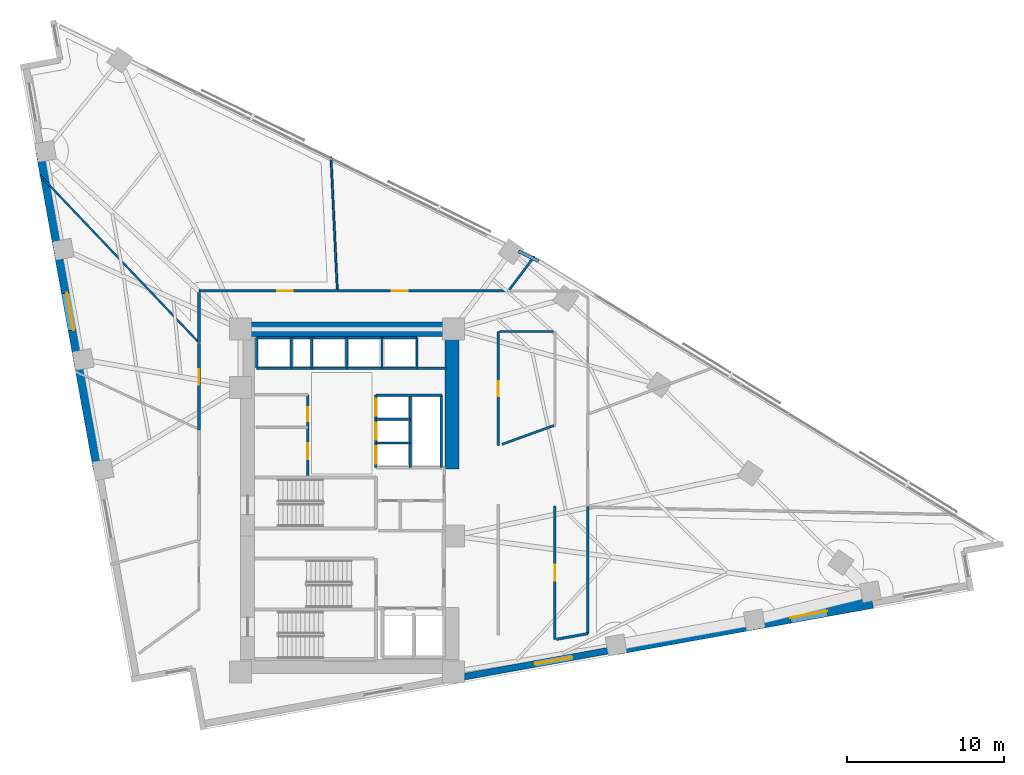
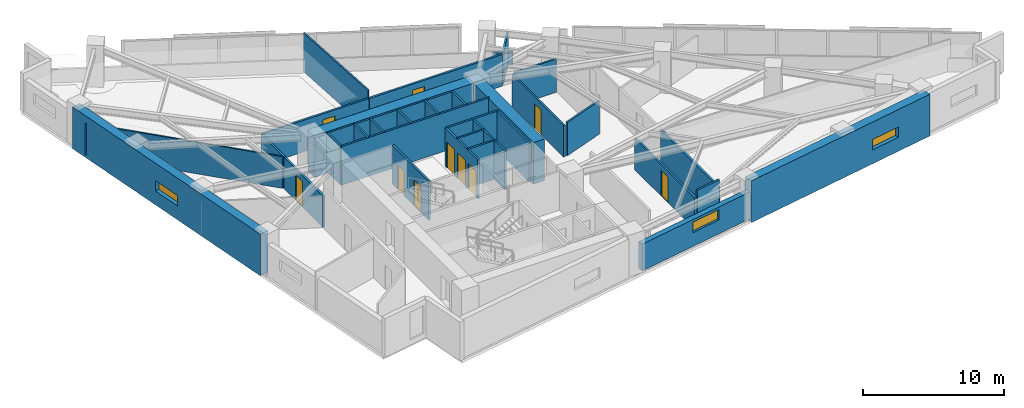
# One storey, part 14 of 18: 35 walls, 10 doors, 3 windows, 13 openings.
"""IFC4 building model written with IfcOpenShell, lengths in metres."""

from ifc_helpers import new_model, si_unit, direction, frame, frame_2d, origin, place, context, subcontext, project, spatial, rectangle, extrude, material, layer, layer_set, type_object, element, fill, save


model = new_model("IFC4")

# Units and contexts
model_context = context("Model", 3, precision=1e-05, world=origin(), true_north=direction((0.0, 1.0)))
body_context = subcontext(model_context, "Body", "Model", "MODEL_VIEW")
ifc_project = project(units=[si_unit("LENGTHUNIT", "METRE"), si_unit("AREAUNIT", "SQUARE_METRE"), si_unit("VOLUMEUNIT", "CUBIC_METRE"), si_unit("PLANEANGLEUNIT", "RADIAN"), si_unit("MASSUNIT", "GRAM", prefix="KILO")], contexts=[model_context])

# Site, building, storey
site_placement = place(None, origin())
site = spatial("IfcSite", under=ifc_project, at=site_placement, CompositionType="ELEMENT")
building_placement = place(site_placement, origin())
building = spatial("IfcBuilding", under=site, at=building_placement, Name="Narakoshi Arena Tower", CompositionType="ELEMENT")
storey_placement = place(building_placement, frame((0.0, 0.0, 106.5)))
storey = spatial("IfcBuildingStorey", under=building, at=storey_placement, Name="L28", CompositionType="ELEMENT", Elevation=106.5)

# Walls
ifc_material_1 = material(Name="Concrete C60/75", Category="concrete")
ifc_layer_1 = layer(ifc_material_1, 0.89990234375)
ifc_layer_set_1 = layer_set([ifc_layer_1], Name="Concrete C60/75")
wall_type_1 = type_object("IfcWallType", Name="WL-CORE-900", PredefinedType="SHEAR", material=ifc_layer_set_1)
wall_1_placement = place(storey_placement, frame((72.0, 56.5, -0.260009765625), z_axis=(0.0, 0.0, 1.0), x_axis=(1.0, 0.0, 0.0)))
element("IfcWall", 1, at=wall_1_placement, inside=storey, type_object=wall_type_1, Name="L28 Main Core Shear Wall CW-MN-N", PredefinedType="SHEAR", context=body_context, shape_type="SweptSolid", body=[
    extrude(rectangle(XDim=13.89990234375, YDim=0.89990234375, at=frame_2d((6.949951171875, 0.0))), origin(), (0.0, 0.0, 1.0), 3.60009765625),
])
wall_2_placement = place(storey_placement, frame((85.449951171875, 47.60009765625, -0.260009765625), z_axis=(0.0, 0.0, 1.0), x_axis=(0.0, 1.0, 0.0)))
element("IfcWall", 2, at=wall_2_placement, inside=storey, type_object=wall_type_1, Name="L28 Main Core Shear Wall CW-MN-E", PredefinedType="SHEAR", context=body_context, shape_type="SweptSolid", body=[
    extrude(rectangle(XDim=8.449951171875, YDim=0.89990234375, at=frame_2d((4.22509765625, 0.0))), origin(), (0.0, 0.0, 1.0), 3.60009765625),
])

# Wall, opening, door
ifc_material_2 = material(Name="Gypsum plasterboard fire-rated partition")
ifc_layer_2 = layer(ifc_material_2, 0.1650390625)
ifc_layer_set_2 = layer_set([ifc_layer_2], Name="Gypsum plasterboard fire-rated partition")
wall_type_2 = type_object("IfcWallType", Name="WL-CORR-165", PredefinedType="PARTITIONING", material=ifc_layer_set_2)
wall_3_placement = place(storey_placement, frame((91.996337890625, 45.264404296875, 0.0), z_axis=(0.0, 0.0, 1.0), x_axis=(0.0, -1.0, 0.0)))
wall_3 = element("IfcWall", 3, at=wall_3_placement, inside=storey, type_object=wall_type_2, Name="L28 Corridor Partition 02-1", PredefinedType="PARTITIONING", context=body_context, shape_type="SweptSolid", body=[
    extrude(rectangle(XDim=8.510009765625, YDim=0.1650390625, at=frame_2d((4.2548828125, 0.0))), origin(), (0.0, 0.0, 1.0), 2.72509765625),
])
opening_1_placement = place(wall_3_placement, frame((3.7548828125, 0.0, 0.0)))
opening_1 = element("IfcOpeningElement", 4, at=opening_1_placement, cuts=wall_3, Name="Opening D-06", PredefinedType="OPENING", context=body_context, shape_type="SweptSolid", body=[
    extrude(rectangle(XDim=1.0, YDim=2.199951171875, at=frame_2d((0.5, 1.10009765625))), frame((0.0, 0.092529296875, 0.0), z_axis=(0.0, -1.0, 0.0), x_axis=(1.0, 0.0, 0.0)), (0.0, 0.0, 1.0), 0.18505859375),
])
ifc_material_3 = material(Name="Stained oak solid-core timber", Category="wood")
door_type_1 = type_object("IfcDoorType", Name="DR-OFF-1000", OperationType="NOTDEFINED", PredefinedType="DOOR", material=ifc_material_3)
door_1_placement = place(opening_1_placement, frame((1.0, 0.0, 0.0), z_axis=(0.0, 0.0, 1.0), x_axis=(-1.0, 0.0, 0.0)))
door_1 = element("IfcDoor", 5, at=door_1_placement, inside=storey, type_object=door_type_1, Name="DR-L28-016", OperationType="SINGLE_SWING_LEFT", OverallHeight=2.199951171875, OverallWidth=1.0, PredefinedType="DOOR", context=body_context, shape_type="SweptSolid", body=[
    extrude(rectangle(XDim=1.0, YDim=2.199951171875, at=frame_2d((0.5, 1.10009765625))), frame((0.0, 0.02490234375, 0.0), z_axis=(0.0, -1.0, 0.0), x_axis=(1.0, 0.0, 0.0)), (0.0, 0.0, 1.0), 0.050048828125),
])
fill(opening_1, door_1)

# Walls
wall_4_placement = place(storey_placement, frame((94.09619140625, 37.134033203125, 0.0), z_axis=(0.0, 0.0, 1.0), x_axis=(0.0, 1.0, 0.0)))
element("IfcWall", 6, at=wall_4_placement, inside=storey, type_object=wall_type_2, Name="L28 Corridor Partition 02-3", PredefinedType="PARTITIONING", context=body_context, shape_type="SweptSolid", body=[
    extrude(rectangle(XDim=8.078857421875, YDim=0.1650390625, at=frame_2d((4.03955078125, 0.0))), origin(), (0.0, 0.0, 1.0), 2.72509765625),
])
wall_5_placement = place(storey_placement, frame((92.0908203125, 36.771484375, 0.0), z_axis=(0.0, 0.0, 1.0), x_axis=(0.984047685875, 0.17790489573, 0.0)))
element("IfcWall", 7, at=wall_5_placement, inside=storey, type_object=wall_type_2, Name="L28 Corridor Partition 02-4", PredefinedType="PARTITIONING", context=body_context, shape_type="SweptSolid", body=[
    extrude(rectangle(XDim=2.037841796875, YDim=0.1650390625, at=frame_2d((1.01904296875, 0.0))), origin(), (0.0, 0.0, 1.0), 3.340087890625),
])

# Wall, opening, door
wall_6_placement = place(storey_placement, frame((88.96337890625, 58.93701171875, 0.0), z_axis=(0.0, 0.0, 1.0), x_axis=(-1.0, 0.0, 0.0)))
wall_6 = element("IfcWall", 8, at=wall_6_placement, inside=storey, type_object=wall_type_2, Name="L28 Corridor Partition 06-1", PredefinedType="PARTITIONING", context=body_context, shape_type="SweptSolid", body=[
    extrude(rectangle(XDim=10.844970703125, YDim=0.1650390625, at=frame_2d((5.42236328125, 0.0))), origin(), (0.0, 0.0, 1.0), 2.72509765625),
])
opening_2_placement = place(wall_6_placement, frame((6.339111328125, 0.0, 0.0)))
opening_2 = element("IfcOpeningElement", 9, at=opening_2_placement, cuts=wall_6, Name="Opening D-06", PredefinedType="OPENING", context=body_context, shape_type="SweptSolid", body=[
    extrude(rectangle(XDim=1.0, YDim=2.199951171875, at=frame_2d((0.5, 1.10009765625))), frame((0.0, 0.092529296875, 0.0), z_axis=(0.0, -1.0, 0.0), x_axis=(1.0, 0.0, 0.0)), (0.0, 0.0, 1.0), 0.18505859375),
])
door_2_placement = place(opening_2_placement, frame((1.0, 0.0, 0.0), z_axis=(0.0, 0.0, 1.0), x_axis=(-1.0, 0.0, 0.0)))
door_2 = element("IfcDoor", 10, at=door_2_placement, inside=storey, type_object=door_type_1, Name="DR-L28-020", OperationType="SINGLE_SWING_LEFT", OverallHeight=2.199951171875, OverallWidth=1.0, PredefinedType="DOOR", context=body_context, shape_type="SweptSolid", body=[
    extrude(rectangle(XDim=1.0, YDim=2.199951171875, at=frame_2d((0.5, 1.10009765625))), frame((0.0, 0.02490234375, 0.0), z_axis=(0.0, -1.0, 0.0), x_axis=(1.0, 0.0, 0.0)), (0.0, 0.0, 1.0), 0.050048828125),
])
fill(opening_2, door_2)

wall_7_placement = place(storey_placement, frame((78.09423828125, 58.93701171875, 0.0), z_axis=(0.0, 0.0, 1.0), x_axis=(-1.0, 0.0, 0.0)))
wall_7 = element("IfcWall", 11, at=wall_7_placement, inside=storey, type_object=wall_type_2, Name="L28 Corridor Partition 07-1", PredefinedType="PARTITIONING", context=body_context, shape_type="SweptSolid", body=[
    extrude(rectangle(XDim=8.740478515625, YDim=0.1650390625, at=frame_2d((4.3701171875, 0.0))), origin(), (0.0, 0.0, 1.0), 2.72509765625),
])
opening_3_placement = place(wall_7_placement, frame((2.769287109375, 0.0, 0.0)))
opening_3 = element("IfcOpeningElement", 12, at=opening_3_placement, cuts=wall_7, Name="Opening D-06", PredefinedType="OPENING", context=body_context, shape_type="SweptSolid", body=[
    extrude(rectangle(XDim=1.0, YDim=2.199951171875, at=frame_2d((0.5, 1.10009765625))), frame((0.0, 0.092529296875, 0.0), z_axis=(0.0, -1.0, 0.0), x_axis=(1.0, 0.0, 0.0)), (0.0, 0.0, 1.0), 0.18505859375),
])
door_3_placement = place(opening_3_placement, frame((1.0, 0.0, 0.0), z_axis=(0.0, 0.0, 1.0), x_axis=(-1.0, 0.0, 0.0)))
door_3 = element("IfcDoor", 13, at=door_3_placement, inside=storey, type_object=door_type_1, Name="DR-L28-021", OperationType="SINGLE_SWING_RIGHT", OverallHeight=2.199951171875, OverallWidth=1.0, PredefinedType="DOOR", context=body_context, shape_type="SweptSolid", body=[
    extrude(rectangle(XDim=1.0, YDim=2.199951171875, at=frame_2d((0.5, 1.10009765625))), frame((0.0, 0.02490234375, 0.0), z_axis=(0.0, -1.0, 0.0), x_axis=(1.0, 0.0, 0.0)), (0.0, 0.0, 1.0), 0.050048828125),
])
fill(opening_3, door_3)

# Wall
wall_8_placement = place(storey_placement, frame((69.353759765625, 58.842529296875, 0.0), z_axis=(0.0, 0.0, 1.0), x_axis=(0.0, -1.0, 0.0)))
element("IfcWall", 14, at=wall_8_placement, inside=storey, type_object=wall_type_2, Name="L28 Corridor Partition 07-2", PredefinedType="PARTITIONING", context=body_context, shape_type="SweptSolid", body=[
    extrude(rectangle(XDim=3.20263671875, YDim=0.1650390625, at=frame_2d((1.601318359375, 0.0))), origin(), (0.0, 0.0, 1.0), 2.72509765625),
])

# Wall, opening, door
wall_9_placement = place(storey_placement, frame((69.353759765625, 55.60498046875, 0.0), z_axis=(0.0, 0.0, 1.0), x_axis=(0.0, -1.0, 0.0)))
wall_9 = element("IfcWall", 15, at=wall_9_placement, inside=storey, type_object=wall_type_2, Name="L28 Corridor Partition 08-1", PredefinedType="PARTITIONING", context=body_context, shape_type="SweptSolid", body=[
    extrude(rectangle(XDim=5.5126953125, YDim=0.1650390625, at=frame_2d((2.75634765625, 0.0))), origin(), (0.0, 0.0, 1.0), 2.72509765625),
])
opening_4_placement = place(wall_9_placement, frame((1.639404296875, 0.0, 0.0)))
opening_4 = element("IfcOpeningElement", 16, at=opening_4_placement, cuts=wall_9, Name="Opening D-06", PredefinedType="OPENING", context=body_context, shape_type="SweptSolid", body=[
    extrude(rectangle(XDim=1.0, YDim=2.199951171875, at=frame_2d((0.5, 1.10009765625))), frame((0.0, 0.092529296875, 0.0), z_axis=(0.0, -1.0, 0.0), x_axis=(1.0, 0.0, 0.0)), (0.0, 0.0, 1.0), 0.18505859375),
])
door_4_placement = place(opening_4_placement, frame((1.0, 0.0, 0.0), z_axis=(0.0, 0.0, 1.0), x_axis=(-1.0, 0.0, 0.0)))
door_4 = element("IfcDoor", 17, at=door_4_placement, inside=storey, type_object=door_type_1, Name="DR-L28-022", OperationType="SINGLE_SWING_LEFT", OverallHeight=2.199951171875, OverallWidth=1.0, PredefinedType="DOOR", context=body_context, shape_type="SweptSolid", body=[
    extrude(rectangle(XDim=1.0, YDim=2.199951171875, at=frame_2d((0.5, 1.10009765625))), frame((0.0, 0.02490234375, 0.0), z_axis=(0.0, -1.0, 0.0), x_axis=(1.0, 0.0, 0.0)), (0.0, 0.0, 1.0), 0.050048828125),
])
fill(opening_4, door_4)

# Wall, opening, window
ifc_layer_3 = layer(ifc_material_1, 0.699951171875)
ifc_layer_set_3 = layer_set([ifc_layer_3], Name="Concrete C60/75")
wall_type_3 = type_object("IfcWallType", Name="WL-LEG-700", PredefinedType="SHEAR", material=ifc_layer_set_3)
wall_10_placement = place(storey_placement, frame((95.93798828125, 36.14599609375, -0.260009765625), z_axis=(0.0, 0.0, 1.0), x_axis=(0.984038488288, 0.177955762952, 0.0)))
wall_10 = element("IfcWall", 18, at=wall_10_placement, inside=storey, type_object=wall_type_3, Name="L28 Architectural Concrete Structural Wall LEGA-3", PredefinedType="SHEAR", context=body_context, shape_type="SweptSolid", body=[
    extrude(rectangle(XDim=16.524658203125, YDim=0.699951171875, at=frame_2d((8.26220703125, 0.0))), origin(), (0.0, 0.0, 1.0), 3.60009765625),
])
opening_5_placement = place(wall_10_placement, frame((11.199951171875, 0.0, 1.199951171875)))
opening_5 = element("IfcOpeningElement", 19, at=opening_5_placement, cuts=wall_10, Name="Opening WN-01", PredefinedType="OPENING", context=body_context, shape_type="SweptSolid", body=[
    extrude(rectangle(XDim=2.39990234375, YDim=0.89990234375, at=frame_2d((1.199951171875, 0.449951171875))), frame((0.0, 0.35986328125, 0.0), z_axis=(0.0, -1.0, 0.0), x_axis=(1.0, 0.0, 0.0)), (0.0, 0.0, 1.0), 0.719970703125),
])
ifc_material_4 = material(Name="Bronze-tinted low-E laminated glass", Category="glass")
window_type = type_object("IfcWindowType", Name="WIN-SLT-24x09", PartitioningType="SINGLE_PANEL", PredefinedType="WINDOW", material=ifc_material_4)
window_1_placement = place(opening_5_placement, origin())
window_1 = element("IfcWindow", 20, at=window_1_placement, inside=storey, type_object=window_type, Name="L28 LEGA3 Horizontal Slot Window 1", OverallHeight=0.89990234375, OverallWidth=2.39990234375, PartitioningType="SINGLE_PANEL", PredefinedType="WINDOW", context=body_context, shape_type="SweptSolid", body=[
    extrude(rectangle(XDim=2.39990234375, YDim=0.89990234375, at=frame_2d((1.199951171875, 0.449951171875))), frame((0.0, 0.030029296875, 0.0), z_axis=(0.0, -1.0, 0.0), x_axis=(1.0, 0.0, 0.0)), (0.0, 0.0, 1.0), 0.06005859375),
])
fill(opening_5, window_1)

wall_11_placement = place(storey_placement, frame((59.327880859375, 67.767822265625, -0.260009765625), z_axis=(0.0, 0.0, 1.0), x_axis=(0.177933213615, -0.984042565895, 0.0)))
wall_11 = element("IfcWall", 21, at=wall_11_placement, inside=storey, type_object=wall_type_3, Name="L28 Architectural Concrete Structural Wall LEGB-2", PredefinedType="SHEAR", context=body_context, shape_type="SweptSolid", body=[
    extrude(rectangle(XDim=20.57861328125, YDim=0.699951171875, at=frame_2d((10.289306640625, 0.0))), origin(), (0.0, 0.0, 1.0), 3.60009765625),
])
opening_6_placement = place(wall_11_placement, frame((9.10009765625, 0.0, 1.199951171875)))
opening_6 = element("IfcOpeningElement", 22, at=opening_6_placement, cuts=wall_11, Name="Opening WN-01", PredefinedType="OPENING", context=body_context, shape_type="SweptSolid", body=[
    extrude(rectangle(XDim=2.39990234375, YDim=0.89990234375, at=frame_2d((1.199951171875, 0.449951171875))), frame((0.0, 0.35986328125, 0.0), z_axis=(0.0, -1.0, 0.0), x_axis=(1.0, 0.0, 0.0)), (0.0, 0.0, 1.0), 0.719970703125),
])
window_2_placement = place(opening_6_placement, origin())
window_2 = element("IfcWindow", 23, at=window_2_placement, inside=storey, type_object=window_type, Name="L28 LEGB2 Horizontal Slot Window 1", OverallHeight=0.89990234375, OverallWidth=2.39990234375, PartitioningType="SINGLE_PANEL", PredefinedType="WINDOW", context=body_context, shape_type="SweptSolid", body=[
    extrude(rectangle(XDim=2.39990234375, YDim=0.89990234375, at=frame_2d((1.199951171875, 0.449951171875))), frame((0.0, 0.030029296875, 0.0), z_axis=(0.0, -1.0, 0.0), x_axis=(1.0, 0.0, 0.0)), (0.0, 0.0, 1.0), 0.06005859375),
])
fill(opening_6, window_2)

# Walls
ifc_material_5 = material(Name="Precast concrete C45/55", Category="concrete")
ifc_layer_4 = layer(ifc_material_5, 0.25)
ifc_layer_set_4 = layer_set([ifc_layer_4], Name="Precast concrete C45/55")
wall_type_4 = type_object("IfcWallType", Name="WL-PARA-250", PredefinedType="PARAPET", material=ifc_layer_set_4)
wall_12_placement = place(storey_placement, frame((90.96435546875, 60.821533203125, 0.0), z_axis=(0.0, 0.0, 1.0), x_axis=(-0.898000468284, 0.439994498787, 0.0)))
element("IfcWall", 24, at=wall_12_placement, inside=storey, type_object=wall_type_4, Name="L28 Hypotenuse Sill Upstand Parapet 2-01", PredefinedType="PARAPET", context=body_context, shape_type="SweptSolid", body=[
    extrude(rectangle(XDim=1.42333984375, YDim=0.199951171875, at=frame_2d((0.711669921875, 0.0))), origin(), (0.0, 0.0, 1.0), 1.14990234375),
])
ifc_layer_5 = layer(ifc_material_2, 0.125)
ifc_layer_set_5 = layer_set([ifc_layer_5], Name="Gypsum plasterboard fire-rated partition")
wall_type_5 = type_object("IfcWallType", Name="WL-PART-125", PredefinedType="PARTITIONING", material=ifc_layer_set_5)
wall_13_placement = place(storey_placement, frame((78.14990234375, 59.031494140625, 0.0), z_axis=(0.0, 0.0, 1.0), x_axis=(-0.047396361904, 0.998876160932, 0.0)))
element("IfcWall", 25, at=wall_13_placement, inside=storey, type_object=wall_type_5, Name="L28 Inter-Room Partition 06-07", PredefinedType="PARTITIONING", context=body_context, shape_type="SweptSolid", body=[
    extrude(rectangle(XDim=8.452880859375, YDim=0.125, at=frame_2d((4.2265625, 0.0))), origin(), (0.0, 0.0, 1.0), 3.340087890625),
])
wall_14_placement = place(storey_placement, frame((69.25927734375, 55.739501953125, 0.0), z_axis=(0.0, 0.0, 1.0), x_axis=(-0.688765781804, 0.72498392935, 0.0)))
element("IfcWall", 26, at=wall_14_placement, inside=storey, type_object=wall_type_5, Name="L28 Inter-Room Partition 07-08", PredefinedType="PARTITIONING", context=body_context, shape_type="SweptSolid", body=[
    extrude(rectangle(XDim=14.546630859375, YDim=0.125, at=frame_2d((7.2734375, 0.0))), origin(), (0.0, 0.0, 1.0), 2.72509765625),
])

# Wall, opening, window
ifc_layer_6 = layer(ifc_material_5, 0.419921875)
ifc_layer_set_6 = layer_set([ifc_layer_6], Name="Precast concrete C45/55")
wall_type_6 = type_object("IfcWallType", Name="WL-POD-420", PredefinedType="SOLIDWALL", material=ifc_layer_set_6)
wall_15_placement = place(storey_placement, frame((86.10009765625, 34.3671875, 0.0), z_axis=(0.0, 0.0, 1.0), x_axis=(0.9840437071, 0.177926902172, 0.0)))
wall_15 = element("IfcWall", 27, at=wall_15_placement, inside=storey, type_object=wall_type_6, Name="L28 Architectural Concrete Facade Wall LEGA-2", PredefinedType="SOLIDWALL", context=body_context, shape_type="SweptSolid", body=[
    extrude(rectangle(XDim=9.997314453125, YDim=0.419921875, at=frame_2d((4.99853515625, 0.0))), origin(), (0.0, 0.0, 1.0), 2.324951171875),
])
opening_7_placement = place(wall_15_placement, frame((4.702392578125, 0.0, 1.199951171875)))
opening_7 = element("IfcOpeningElement", 28, at=opening_7_placement, cuts=wall_15, Name="Opening WN-01", PredefinedType="OPENING", context=body_context, shape_type="SweptSolid", body=[
    extrude(rectangle(XDim=2.39990234375, YDim=0.89990234375, at=frame_2d((1.199951171875, 0.449951171875))), frame((0.0, 0.219970703125, 0.0), z_axis=(0.0, -1.0, 0.0), x_axis=(1.0, 0.0, 0.0)), (0.0, 0.0, 1.0), 0.43994140625),
])
window_3_placement = place(opening_7_placement, origin())
window_3 = element("IfcWindow", 29, at=window_3_placement, inside=storey, type_object=window_type, Name="L28 LEGA2 Horizontal Slot Window 1", OverallHeight=0.89990234375, OverallWidth=2.39990234375, PartitioningType="SINGLE_PANEL", PredefinedType="WINDOW", context=body_context, shape_type="SweptSolid", body=[
    extrude(rectangle(XDim=2.39990234375, YDim=0.89990234375, at=frame_2d((1.199951171875, 0.449951171875))), frame((0.0, 0.030029296875, 0.0), z_axis=(0.0, -1.0, 0.0), x_axis=(1.0, 0.0, 0.0)), (0.0, 0.0, 1.0), 0.06005859375),
])
fill(opening_7, window_3)

# Walls
ifc_material_6 = material(Name="Concrete C40/50", Category="concrete")
ifc_layer_7 = layer(ifc_material_6, 0.280029296875)
ifc_layer_set_7 = layer_set([ifc_layer_7], Name="Concrete C40/50")
wall_type_7 = type_object("IfcWallType", Name="WL-RISER-280", PredefinedType="PLUMBINGWALL", material=ifc_layer_set_7)
for number, where, z_axis, x_axis, name in (
    (30, (80.60009765625, 49.260009765625, 0.0), (0.0, 0.0, 1.0), (1.0, 0.0, 0.0), "L28 Core Wall MR-D1"),
    (31, (80.60009765625, 50.780029296875, 0.0), (0.0, 0.0, 1.0), (1.0, 0.0, 0.0), "L28 Core Wall MR-D2"),
):
    element("IfcWall", number, at=place(storey_placement, frame(where, z_axis=z_axis, x_axis=x_axis)), inside=storey, type_object=wall_type_7, Name=name, PredefinedType="PLUMBINGWALL", context=body_context, shape_type="SweptSolid", body=[
        extrude(rectangle(XDim=2.199951171875, YDim=0.14990234375, at=frame_2d((1.10009765625, 0.0))), origin(), (0.0, 0.0, 1.0), 3.340087890625),
    ])
wall_16_placement = place(storey_placement, frame((82.800048828125, 47.699951171875, 0.0), z_axis=(0.0, 0.0, 1.0), x_axis=(0.0, 1.0, 0.0)))
element("IfcWall", 32, at=wall_16_placement, inside=storey, type_object=wall_type_7, Name="L28 Core Wall MR-E", PredefinedType="PLUMBINGWALL", context=body_context, shape_type="SweptSolid", body=[
    extrude(rectangle(XDim=4.60009765625, YDim=0.14990234375, at=frame_2d((2.300048828125, 0.0))), origin(), (0.0, 0.0, 1.0), 3.340087890625),
])
for number, where, z_axis, x_axis, name in (
    (33, (73.02001953125, 54.02001953125, 0.0), (0.0, 0.0, 1.0), (0.0, 1.0, 0.0), "L28 Core Wall OBS-W"),
    (34, (75.219970703125, 54.02001953125, 0.0), (0.0, 0.0, 1.0), (0.0, 1.0, 0.0), "L28 Core Wall OBS-M"),
):
    element("IfcWall", number, at=place(storey_placement, frame(where, z_axis=z_axis, x_axis=x_axis)), inside=storey, type_object=wall_type_7, Name=name, PredefinedType="PLUMBINGWALL", context=body_context, shape_type="SweptSolid", body=[
        extrude(rectangle(XDim=1.93994140625, YDim=0.14990234375, at=frame_2d((0.969970703125, 0.0))), origin(), (0.0, 0.0, 1.0), 3.340087890625),
    ])
for number, where, z_axis, x_axis, name in (
    (35, (78.75, 54.02001953125, 0.0), (0.0, 0.0, 1.0), (0.0, 1.0, 0.0), "L28 Core Wall HR-D1"),
    (36, (81.0, 54.02001953125, 0.0), (0.0, 0.0, 1.0), (0.0, 1.0, 0.0), "L28 Core Wall HR-D2"),
):
    element("IfcWall", number, at=place(storey_placement, frame(where, z_axis=z_axis, x_axis=x_axis)), inside=storey, type_object=wall_type_7, Name=name, PredefinedType="PLUMBINGWALL", context=body_context, shape_type="SweptSolid", body=[
        extrude(rectangle(XDim=1.9599609375, YDim=0.14990234375, at=frame_2d((0.97998046875, 0.0))), origin(), (0.0, 0.0, 1.0), 3.340087890625),
    ])

# Wall, openings, doors
ifc_material_7 = material(Name="Concrete C50/60", Category="concrete")
ifc_layer_8 = layer(ifc_material_7, 0.35009765625)
ifc_layer_set_8 = layer_set([ifc_layer_8], Name="Concrete C50/60")
wall_type_8 = type_object("IfcWallType", Name="WL-SHAFT-350", PredefinedType="SOLIDWALL", material=ifc_layer_set_8)
wall_17_placement = place(storey_placement, frame((76.280029296875, 47.179931640625, 0.0), z_axis=(0.0, 0.0, 1.0), x_axis=(0.0, 1.0, 0.0)))
wall_17 = element("IfcWall", 37, at=wall_17_placement, inside=storey, type_object=wall_type_8, Name="L28 Core Wall LR-E", PredefinedType="SOLIDWALL", context=body_context, shape_type="SweptSolid", body=[
    extrude(rectangle(XDim=5.14013671875, YDim=0.159912109375, at=frame_2d((2.570068359375, 0.0))), origin(), (0.0, 0.0, 1.0), 3.340087890625),
])
opening_8_placement = place(wall_17_placement, frame((1.050048828125, 0.0, 0.0)))
opening_8 = element("IfcOpeningElement", 38, at=opening_8_placement, cuts=wall_17, Name="Opening D-06", PredefinedType="OPENING", context=body_context, shape_type="SweptSolid", body=[
    extrude(rectangle(XDim=1.0, YDim=2.199951171875, at=frame_2d((0.5, 1.10009765625))), frame((0.0, 0.08984375, 0.0), z_axis=(0.0, -1.0, 0.0), x_axis=(1.0, 0.0, 0.0)), (0.0, 0.0, 1.0), 0.179931640625),
])
opening_9_placement = place(wall_17_placement, frame((3.449951171875, 0.0, 0.0)))
opening_9 = element("IfcOpeningElement", 39, at=opening_9_placement, cuts=wall_17, Name="Opening D-08", PredefinedType="OPENING", context=body_context, shape_type="SweptSolid", body=[
    extrude(rectangle(XDim=0.89990234375, YDim=2.10009765625, at=frame_2d((0.449951171875, 1.050048828125))), frame((0.0, 0.08984375, 0.0), z_axis=(0.0, -1.0, 0.0), x_axis=(1.0, 0.0, 0.0)), (0.0, 0.0, 1.0), 0.179931640625),
])
door_5_placement = place(opening_8_placement, frame((1.0, 0.0, 0.0), z_axis=(0.0, 0.0, 1.0), x_axis=(-1.0, 0.0, 0.0)))
door_5 = element("IfcDoor", 40, at=door_5_placement, inside=storey, type_object=door_type_1, Name="DR-L28-010", OperationType="SINGLE_SWING_RIGHT", OverallHeight=2.199951171875, OverallWidth=1.0, PredefinedType="DOOR", context=body_context, shape_type="SweptSolid", body=[
    extrude(rectangle(XDim=1.0, YDim=2.199951171875, at=frame_2d((0.5, 1.10009765625))), frame((0.0, 0.02490234375, 0.0), z_axis=(0.0, -1.0, 0.0), x_axis=(1.0, 0.0, 0.0)), (0.0, 0.0, 1.0), 0.050048828125),
])
fill(opening_8, door_5)
ifc_material_8 = material(Name="Moisture-resistant laminate timber", Category="wood")
door_type_2 = type_object("IfcDoorType", Name="DR-WC-900", OperationType="NOTDEFINED", PredefinedType="DOOR", material=ifc_material_8)
door_6_placement = place(opening_9_placement, frame((0.89990234375, 0.0, 0.0), z_axis=(0.0, 0.0, 1.0), x_axis=(-1.0, 0.0, 0.0)))
door_6 = element("IfcDoor", 41, at=door_6_placement, inside=storey, type_object=door_type_2, Name="DR-L28-011", OperationType="SINGLE_SWING_LEFT", OverallHeight=2.10009765625, OverallWidth=0.89990234375, PredefinedType="DOOR", context=body_context, shape_type="SweptSolid", body=[
    extrude(rectangle(XDim=0.89990234375, YDim=2.10009765625, at=frame_2d((0.449951171875, 1.050048828125))), frame((0.0, 0.02490234375, 0.0), z_axis=(0.0, -1.0, 0.0), x_axis=(1.0, 0.0, 0.0)), (0.0, 0.0, 1.0), 0.050048828125),
])
fill(opening_9, door_6)

wall_18_placement = place(storey_placement, frame((80.60009765625, 47.699951171875, 0.0), z_axis=(0.0, 0.0, 1.0), x_axis=(0.0, 1.0, 0.0)))
wall_18 = element("IfcWall", 42, at=wall_18_placement, inside=storey, type_object=wall_type_8, Name="L28 Core Wall MR-W", PredefinedType="SOLIDWALL", context=body_context, shape_type="SweptSolid", body=[
    extrude(rectangle(XDim=4.60009765625, YDim=0.159912109375, at=frame_2d((2.300048828125, 0.0))), origin(), (0.0, 0.0, 1.0), 3.340087890625),
])
opening_10_placement = place(wall_18_placement, frame((0.239990234375, 0.0, 0.0)))
opening_10 = element("IfcOpeningElement", 43, at=opening_10_placement, cuts=wall_18, Name="Opening LD-01", PredefinedType="OPENING", context=body_context, shape_type="SweptSolid", body=[
    extrude(rectangle(XDim=1.10009765625, YDim=2.25, at=frame_2d((0.550048828125, 1.125))), frame((0.0, 0.08984375, 0.0), z_axis=(0.0, -1.0, 0.0), x_axis=(1.0, 0.0, 0.0)), (0.0, 0.0, 1.0), 0.179931640625),
])
opening_11_placement = place(wall_18_placement, frame((1.760009765625, 0.0, 0.0)))
opening_11 = element("IfcOpeningElement", 44, at=opening_11_placement, cuts=wall_18, Name="Opening LD-01", PredefinedType="OPENING", context=body_context, shape_type="SweptSolid", body=[
    extrude(rectangle(XDim=1.10009765625, YDim=2.25, at=frame_2d((0.550048828125, 1.125))), frame((0.0, 0.08984375, 0.0), z_axis=(0.0, -1.0, 0.0), x_axis=(1.0, 0.0, 0.0)), (0.0, 0.0, 1.0), 0.179931640625),
])
opening_12_placement = place(wall_18_placement, frame((3.280029296875, 0.0, 0.0)))
opening_12 = element("IfcOpeningElement", 45, at=opening_12_placement, cuts=wall_18, Name="Opening LD-01", PredefinedType="OPENING", context=body_context, shape_type="SweptSolid", body=[
    extrude(rectangle(XDim=1.10009765625, YDim=2.25, at=frame_2d((0.550048828125, 1.125))), frame((0.0, 0.08984375, 0.0), z_axis=(0.0, -1.0, 0.0), x_axis=(1.0, 0.0, 0.0)), (0.0, 0.0, 1.0), 0.179931640625),
])
ifc_material_9 = material(Name="Brushed bronze stainless steel", Category="steel")
door_type_3 = type_object("IfcDoorType", Name="DR-LFT-1100", OperationType="DOUBLE_DOOR_SLIDING", PredefinedType="DOOR", material=ifc_material_9)
door_7_placement = place(opening_10_placement, frame((1.10009765625, 0.0, 0.0), z_axis=(0.0, 0.0, 1.0), x_axis=(-1.0, 0.0, 0.0)))
door_7 = element("IfcDoor", 46, at=door_7_placement, inside=storey, type_object=door_type_3, Name="DR-L28-012", OperationType="DOUBLE_DOOR_SLIDING", OverallHeight=2.25, OverallWidth=1.10009765625, PredefinedType="DOOR", context=body_context, shape_type="SweptSolid", body=[
    extrude(rectangle(XDim=1.10009765625, YDim=2.25, at=frame_2d((0.550048828125, 1.125))), frame((0.0, 0.02490234375, 0.0), z_axis=(0.0, -1.0, 0.0), x_axis=(1.0, 0.0, 0.0)), (0.0, 0.0, 1.0), 0.050048828125),
])
fill(opening_10, door_7)
door_8_placement = place(opening_11_placement, frame((1.10009765625, 0.0, 0.0), z_axis=(0.0, 0.0, 1.0), x_axis=(-1.0, 0.0, 0.0)))
door_8 = element("IfcDoor", 47, at=door_8_placement, inside=storey, type_object=door_type_3, Name="DR-L28-013", OperationType="DOUBLE_DOOR_SLIDING", OverallHeight=2.25, OverallWidth=1.10009765625, PredefinedType="DOOR", context=body_context, shape_type="SweptSolid", body=[
    extrude(rectangle(XDim=1.10009765625, YDim=2.25, at=frame_2d((0.550048828125, 1.125))), frame((0.0, 0.02490234375, 0.0), z_axis=(0.0, -1.0, 0.0), x_axis=(1.0, 0.0, 0.0)), (0.0, 0.0, 1.0), 0.050048828125),
])
fill(opening_11, door_8)
door_9_placement = place(opening_12_placement, frame((1.10009765625, 0.0, 0.0), z_axis=(0.0, 0.0, 1.0), x_axis=(-1.0, 0.0, 0.0)))
door_9 = element("IfcDoor", 48, at=door_9_placement, inside=storey, type_object=door_type_3, Name="DR-L28-014", OperationType="DOUBLE_DOOR_SLIDING", OverallHeight=2.25, OverallWidth=1.10009765625, PredefinedType="DOOR", context=body_context, shape_type="SweptSolid", body=[
    extrude(rectangle(XDim=1.10009765625, YDim=2.25, at=frame_2d((0.550048828125, 1.125))), frame((0.0, 0.02490234375, 0.0), z_axis=(0.0, -1.0, 0.0), x_axis=(1.0, 0.0, 0.0)), (0.0, 0.0, 1.0), 0.050048828125),
])
fill(opening_12, door_9)

# Walls
wall_19_placement = place(storey_placement, frame((80.60009765625, 52.300048828125, 0.0), z_axis=(0.0, 0.0, 1.0), x_axis=(1.0, 0.0, 0.0)))
element("IfcWall", 49, at=wall_19_placement, inside=storey, type_object=wall_type_8, Name="L28 Core Wall MR-N", PredefinedType="SOLIDWALL", context=body_context, shape_type="SweptSolid", body=[
    extrude(rectangle(XDim=4.219970703125, YDim=0.159912109375, at=frame_2d((2.10986328125, 0.0))), origin(), (0.0, 0.0, 1.0), 3.340087890625),
])
wall_20_placement = place(storey_placement, frame((84.780029296875, 47.699951171875, 0.0), z_axis=(0.0, 0.0, 1.0), x_axis=(0.0, 1.0, 0.0)))
element("IfcWall", 50, at=wall_20_placement, inside=storey, type_object=wall_type_8, Name="L28 Core Wall MR-E2", PredefinedType="SOLIDWALL", context=body_context, shape_type="SweptSolid", body=[
    extrude(rectangle(XDim=4.60009765625, YDim=0.159912109375, at=frame_2d((2.300048828125, 0.0))), origin(), (0.0, 0.0, 1.0), 3.340087890625),
])
wall_21_placement = place(storey_placement, frame((73.02001953125, 54.02001953125, 0.0), z_axis=(0.0, 0.0, 1.0), x_axis=(1.0, 0.0, 0.0)))
element("IfcWall", 51, at=wall_21_placement, inside=storey, type_object=wall_type_8, Name="L28 Core Wall NSHF-S", PredefinedType="SOLIDWALL", context=body_context, shape_type="SweptSolid", body=[
    extrude(rectangle(XDim=12.080078125, YDim=0.159912109375, at=frame_2d((6.0400390625, 0.0))), origin(), (0.0, 0.0, 1.0), 3.340087890625),
])
wall_22_placement = place(storey_placement, frame((73.02001953125, 55.9599609375, 0.0), z_axis=(0.0, 0.0, 1.0), x_axis=(1.0, 0.0, 0.0)))
element("IfcWall", 52, at=wall_22_placement, inside=storey, type_object=wall_type_8, Name="L28 Core Wall OBS-N", PredefinedType="SOLIDWALL", context=body_context, shape_type="SweptSolid", body=[
    extrude(rectangle(XDim=3.5, YDim=0.14990234375, at=frame_2d((1.75, 0.0))), origin(), (0.0, 0.0, 1.0), 3.340087890625),
])
wall_23_placement = place(storey_placement, frame((76.52001953125, 54.02001953125, 0.0), z_axis=(0.0, 0.0, 1.0), x_axis=(0.0, 1.0, 0.0)))
element("IfcWall", 53, at=wall_23_placement, inside=storey, type_object=wall_type_8, Name="L28 Core Wall OBS-E", PredefinedType="SOLIDWALL", context=body_context, shape_type="SweptSolid", body=[
    extrude(rectangle(XDim=1.93994140625, YDim=0.14990234375, at=frame_2d((0.969970703125, 0.0))), origin(), (0.0, 0.0, 1.0), 3.340087890625),
])
wall_24_placement = place(storey_placement, frame((83.219970703125, 54.02001953125, 0.0), z_axis=(0.0, 0.0, 1.0), x_axis=(0.0, 1.0, 0.0)))
element("IfcWall", 54, at=wall_24_placement, inside=storey, type_object=wall_type_8, Name="L28 Core Wall HR-E", PredefinedType="SOLIDWALL", context=body_context, shape_type="SweptSolid", body=[
    extrude(rectangle(XDim=1.9599609375, YDim=0.14990234375, at=frame_2d((0.97998046875, 0.0))), origin(), (0.0, 0.0, 1.0), 3.340087890625),
])
wall_25_placement = place(storey_placement, frame((76.52001953125, 55.9599609375, 0.0), z_axis=(0.0, 0.0, 1.0), x_axis=(1.0, 0.0, 0.0)))
element("IfcWall", 55, at=wall_25_placement, inside=storey, type_object=wall_type_8, Name="L28 Core Wall HR-N", PredefinedType="SOLIDWALL", context=body_context, shape_type="SweptSolid", body=[
    extrude(rectangle(XDim=6.699951171875, YDim=0.14990234375, at=frame_2d((3.35009765625, 0.0))), origin(), (0.0, 0.0, 1.0), 3.340087890625),
])
ifc_material_10 = material(Name="Moisture-resistant cement-board partition")
ifc_layer_9 = layer(ifc_material_10, 0.14501953125)
ifc_layer_set_9 = layer_set([ifc_layer_9], Name="Moisture-resistant cement-board partition")
wall_type_9 = type_object("IfcWallType", Name="WL-WET-145", PredefinedType="PARTITIONING", material=ifc_layer_set_9)
wall_26_placement = place(storey_placement, frame((89.1025390625, 59.021484375, 0.0), z_axis=(0.0, 0.0, 1.0), x_axis=(0.601816091095, 0.798634705294, 0.0)))
element("IfcWall", 56, at=wall_26_placement, inside=storey, type_object=wall_type_9, Name="L28 Inter-Room Partition 04-06", PredefinedType="PARTITIONING", context=body_context, shape_type="SweptSolid", body=[
    extrude(rectangle(XDim=2.643310546875, YDim=0.14501953125, at=frame_2d((1.32177734375, 0.0))), origin(), (0.0, 0.0, 1.0), 2.72509765625),
])

# Wall, opening, door
wall_27_placement = place(storey_placement, frame((88.39990234375, 49.09228515625, 0.0), z_axis=(0.0, 0.0, 1.0), x_axis=(0.0, 1.0, 0.0)))
wall_27 = element("IfcWall", 57, at=wall_27_placement, inside=storey, type_object=wall_type_9, Name="L28 Corridor Partition 05-1", PredefinedType="PARTITIONING", context=body_context, shape_type="SweptSolid", body=[
    extrude(rectangle(XDim=7.2578125, YDim=0.14501953125, at=frame_2d((3.62890625, 0.0))), origin(), (0.0, 0.0, 1.0), 2.72509765625),
])
opening_13_placement = place(wall_27_placement, frame((3.15380859375, 0.0, 0.0)))
opening_13 = element("IfcOpeningElement", 58, at=opening_13_placement, cuts=wall_27, Name="Opening D-07", PredefinedType="OPENING", context=body_context, shape_type="SweptSolid", body=[
    extrude(rectangle(XDim=0.949951171875, YDim=2.14990234375, at=frame_2d((0.47509765625, 1.074951171875))), frame((0.0, 0.08251953125, 0.0), z_axis=(0.0, -1.0, 0.0), x_axis=(1.0, 0.0, 0.0)), (0.0, 0.0, 1.0), 0.1650390625),
])
door_type_4 = type_object("IfcDoorType", Name="DR-ACC-950", OperationType="NOTDEFINED", PredefinedType="DOOR", material=ifc_material_3)
door_10_placement = place(opening_13_placement, frame((0.949951171875, 0.0, 0.0), z_axis=(0.0, 0.0, 1.0), x_axis=(-1.0, 0.0, 0.0)))
door_10 = element("IfcDoor", 59, at=door_10_placement, inside=storey, type_object=door_type_4, Name="DR-L28-019", OperationType="SINGLE_SWING_LEFT", OverallHeight=2.14990234375, OverallWidth=0.949951171875, PredefinedType="DOOR", context=body_context, shape_type="SweptSolid", body=[
    extrude(rectangle(XDim=0.949951171875, YDim=2.14990234375, at=frame_2d((0.47509765625, 1.074951171875))), frame((0.0, 0.02490234375, 0.0), z_axis=(0.0, -1.0, 0.0), x_axis=(1.0, 0.0, 0.0)), (0.0, 0.0, 1.0), 0.050048828125),
])
fill(opening_13, door_10)

# Walls
wall_28_placement = place(storey_placement, frame((88.484619140625, 56.35009765625, 0.0), z_axis=(0.0, 0.0, 1.0), x_axis=(1.0, 0.0, 0.0)))
element("IfcWall", 60, at=wall_28_placement, inside=storey, type_object=wall_type_9, Name="L28 Corridor Partition 05-3", PredefinedType="PARTITIONING", context=body_context, shape_type="SweptSolid", body=[
    extrude(rectangle(XDim=3.42724609375, YDim=0.14501953125, at=frame_2d((1.713623046875, 0.0))), origin(), (0.0, 0.0, 1.0), 2.875),
])
wall_29_placement = place(storey_placement, frame((91.936279296875, 50.373779296875, 0.0), z_axis=(0.0, 0.0, 1.0), x_axis=(-0.940166112984, -0.340716421672, 0.0)))
element("IfcWall", 61, at=wall_29_placement, inside=storey, type_object=wall_type_9, Name="L28 Room Enclosure Partition 05-1", PredefinedType="PARTITIONING", context=body_context, shape_type="SweptSolid", body=[
    extrude(rectangle(XDim=3.513916015625, YDim=0.14501953125, at=frame_2d((1.7568359375, 0.0))), origin(), (0.0, 0.0, 1.0), 2.875),
])

save(model, "model.ifc")
